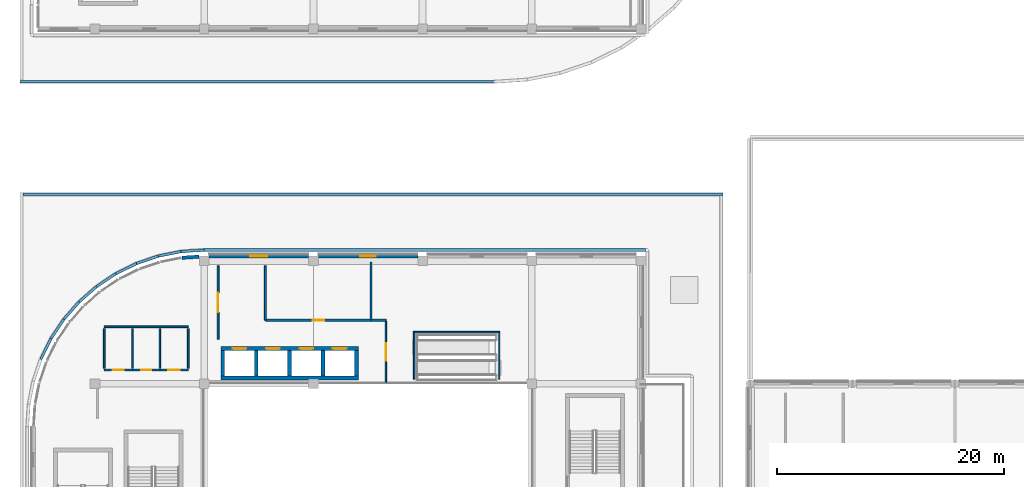
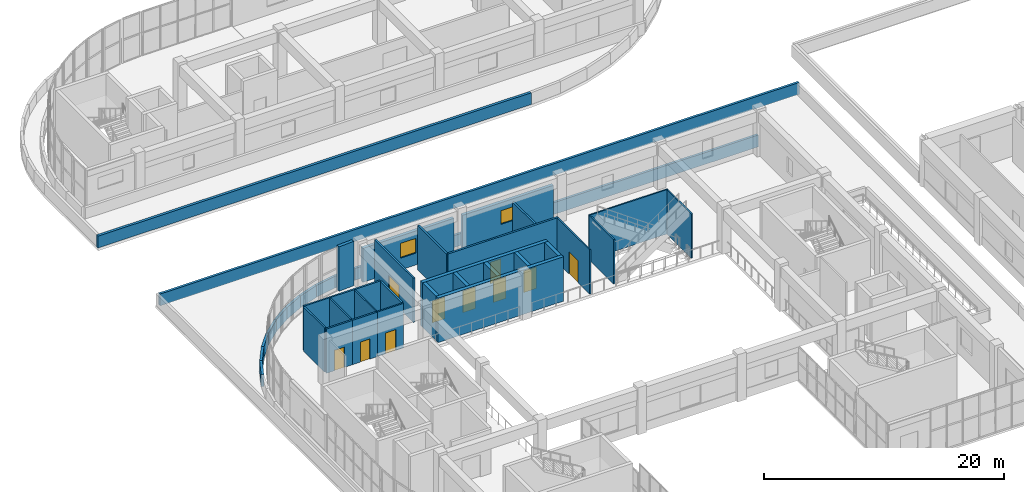
# One storey, part 43 of 67: 38 walls, 10 doors, 2 windows, 12 openings.
"""IFC4 building model written with IfcOpenShell, lengths in metres."""

from ifc_helpers import new_model, si_unit, direction, frame, frame_2d, origin, place, context, subcontext, project, spatial, rectangle, extrude, material, layer, layer_set, type_object, element, fill, save


model = new_model("IFC4")

# Units and contexts
model_context = context("Model", 3, precision=1e-05, world=origin(), true_north=direction((0.0, 1.0)))
body_context = subcontext(model_context, "Body", "Model", "MODEL_VIEW")
ifc_project = project(units=[si_unit("LENGTHUNIT", "METRE"), si_unit("AREAUNIT", "SQUARE_METRE"), si_unit("VOLUMEUNIT", "CUBIC_METRE"), si_unit("PLANEANGLEUNIT", "RADIAN"), si_unit("MASSUNIT", "GRAM", prefix="KILO")], contexts=[model_context])

# Site, building, storey
site_placement = place(None, origin())
site = spatial("IfcSite", under=ifc_project, at=site_placement, CompositionType="ELEMENT")
building_placement = place(site_placement, origin())
building = spatial("IfcBuilding", under=site, at=building_placement, Name="Cendralis Terraced Arcade", CompositionType="ELEMENT")
storey_placement = place(building_placement, frame((0.0, 0.0, 15.0)))
storey = spatial("IfcBuildingStorey", under=building, at=storey_placement, Name="L03", CompositionType="ELEMENT", Elevation=15.0)

# Walls
ifc_material_1 = material(Name="Concrete f'c 42 MPa", Category="concrete")
ifc_layer_1 = layer(ifc_material_1, 0.340087890625, Name="WL-CORE-340")
ifc_layer_set_1 = layer_set([ifc_layer_1], Name="Concrete f'c 42 MPa")
wall_type_1 = type_object("IfcWallType", Name="WL-CORE-340", PredefinedType="SHEAR", material=ifc_layer_set_1)
for number, where, z_axis, x_axis, name in (
    (1, (23.77001953125, 39.074951171875, 0.0), (0.0, 0.0, 1.0), (0.0, 1.0, 0.0), "Lift PL-01 Reinforced Concrete Shaft Wall (L03)"),
    (2, (20.830078125, 39.074951171875, 0.0), (0.0, 0.0, 1.0), (0.0, 1.0, 0.0), "Lift PL-01 Reinforced Concrete Shaft Wall (L03)"),
):
    element("IfcWall", number, at=place(storey_placement, frame(where, z_axis=z_axis, x_axis=x_axis)), inside=storey, type_object=wall_type_1, Name=name, PredefinedType="SHEAR", context=body_context, shape_type="SweptSolid", body=[
        extrude(rectangle(XDim=2.25, YDim=0.340087890625, at=frame_2d((1.125, 0.0))), origin(), (0.0, 0.0, 1.0), 4.52001953125),
    ])
wall_1_placement = place(storey_placement, frame((20.659912109375, 38.905029296875, 0.0), z_axis=(0.0, 0.0, 1.0), x_axis=(1.0, 0.0, 0.0)))
element("IfcWall", 3, at=wall_1_placement, inside=storey, type_object=wall_type_1, Name="Lift PL-01 Reinforced Concrete Shaft Wall (L03)", PredefinedType="SHEAR", context=body_context, shape_type="SweptSolid", body=[
    extrude(rectangle(XDim=12.10009765625, YDim=0.340087890625, at=frame_2d((6.050048828125, 0.0))), origin(), (0.0, 0.0, 1.0), 4.52001953125),
])

# Wall, openings, doors
wall_2_placement = place(storey_placement, frame((20.659912109375, 41.4951171875, 0.0), z_axis=(0.0, 0.0, 1.0), x_axis=(1.0, 0.0, 0.0)))
wall_2 = element("IfcWall", 4, at=wall_2_placement, inside=storey, type_object=wall_type_1, Name="Lift PL-01 Reinforced Concrete Shaft Wall (L03)", PredefinedType="SHEAR", context=body_context, shape_type="SweptSolid", body=[
    extrude(rectangle(XDim=12.10009765625, YDim=0.340087890625, at=frame_2d((6.050048828125, 0.0))), origin(), (0.0, 0.0, 1.0), 4.52001953125),
])
opening_1_placement = place(wall_2_placement, frame((1.0400390625, 0.0, 0.0)))
opening_1 = element("IfcOpeningElement", 5, at=opening_1_placement, cuts=wall_2, Name="Opening LD-PL-01-L03", PredefinedType="OPENING", context=body_context, shape_type="SweptSolid", body=[
    extrude(rectangle(XDim=1.199951171875, YDim=2.199951171875, at=frame_2d((0.60009765625, 1.10009765625))), frame((0.0, 0.18212890625, 0.0), z_axis=(0.0, -1.0, 0.0), x_axis=(1.0, 0.0, 0.0)), (0.0, 0.0, 1.0), 0.364013671875),
])
opening_2_placement = place(wall_2_placement, frame((3.97998046875, 0.0, 0.0)))
opening_2 = element("IfcOpeningElement", 6, at=opening_2_placement, cuts=wall_2, Name="Opening LD-PL-02-L03", PredefinedType="OPENING", context=body_context, shape_type="SweptSolid", body=[
    extrude(rectangle(XDim=1.199951171875, YDim=2.199951171875, at=frame_2d((0.60009765625, 1.10009765625))), frame((0.0, 0.18212890625, 0.0), z_axis=(0.0, -1.0, 0.0), x_axis=(1.0, 0.0, 0.0)), (0.0, 0.0, 1.0), 0.364013671875),
])
opening_3_placement = place(wall_2_placement, frame((6.919921875, 0.0, 0.0)))
opening_3 = element("IfcOpeningElement", 7, at=opening_3_placement, cuts=wall_2, Name="Opening LD-PL-03-L03", PredefinedType="OPENING", context=body_context, shape_type="SweptSolid", body=[
    extrude(rectangle(XDim=1.199951171875, YDim=2.199951171875, at=frame_2d((0.60009765625, 1.10009765625))), frame((0.0, 0.18212890625, 0.0), z_axis=(0.0, -1.0, 0.0), x_axis=(1.0, 0.0, 0.0)), (0.0, 0.0, 1.0), 0.364013671875),
])
opening_4_placement = place(wall_2_placement, frame((9.860107421875, 0.0, 0.0)))
opening_4 = element("IfcOpeningElement", 8, at=opening_4_placement, cuts=wall_2, Name="Opening LD-PL-04-L03", PredefinedType="OPENING", context=body_context, shape_type="SweptSolid", body=[
    extrude(rectangle(XDim=1.199951171875, YDim=2.199951171875, at=frame_2d((0.60009765625, 1.10009765625))), frame((0.0, 0.18212890625, 0.0), z_axis=(0.0, -1.0, 0.0), x_axis=(1.0, 0.0, 0.0)), (0.0, 0.0, 1.0), 0.364013671875),
])
ifc_material_2 = material(Name="Anodised aluminium sliding door assembly", Category="aluminium")
door_type_1 = type_object("IfcDoorType", Name="ID-LD-PX-1200x2200", OperationType="DOUBLE_DOOR_SLIDING", PredefinedType="DOOR", material=ifc_material_2)
door_1_placement = place(opening_1_placement, origin())
door_1 = element("IfcDoor", 9, at=door_1_placement, inside=storey, type_object=door_type_1, Name="Lift PL-01 Sliding Landing Door (L03)", OperationType="DOUBLE_DOOR_SLIDING", OverallHeight=2.199951171875, OverallWidth=1.199951171875, PredefinedType="DOOR", context=body_context, shape_type="SweptSolid", body=[
    extrude(rectangle(XDim=1.199951171875, YDim=2.199951171875, at=frame_2d((0.60009765625, 1.10009765625))), frame((0.0, 0.02490234375, 0.0), z_axis=(0.0, -1.0, 0.0), x_axis=(1.0, 0.0, 0.0)), (0.0, 0.0, 1.0), 0.050048828125),
])
fill(opening_1, door_1)
door_2_placement = place(opening_2_placement, origin())
door_2 = element("IfcDoor", 10, at=door_2_placement, inside=storey, type_object=door_type_1, Name="Lift PL-02 Sliding Landing Door (L03)", OperationType="DOUBLE_DOOR_SLIDING", OverallHeight=2.199951171875, OverallWidth=1.199951171875, PredefinedType="DOOR", context=body_context, shape_type="SweptSolid", body=[
    extrude(rectangle(XDim=1.199951171875, YDim=2.199951171875, at=frame_2d((0.60009765625, 1.10009765625))), frame((0.0, 0.02490234375, 0.0), z_axis=(0.0, -1.0, 0.0), x_axis=(1.0, 0.0, 0.0)), (0.0, 0.0, 1.0), 0.050048828125),
])
fill(opening_2, door_2)
door_3_placement = place(opening_3_placement, origin())
door_3 = element("IfcDoor", 11, at=door_3_placement, inside=storey, type_object=door_type_1, Name="Lift PL-03 Sliding Landing Door (L03)", OperationType="DOUBLE_DOOR_SLIDING", OverallHeight=2.199951171875, OverallWidth=1.199951171875, PredefinedType="DOOR", context=body_context, shape_type="SweptSolid", body=[
    extrude(rectangle(XDim=1.199951171875, YDim=2.199951171875, at=frame_2d((0.60009765625, 1.10009765625))), frame((0.0, 0.02490234375, 0.0), z_axis=(0.0, -1.0, 0.0), x_axis=(1.0, 0.0, 0.0)), (0.0, 0.0, 1.0), 0.050048828125),
])
fill(opening_3, door_3)
door_4_placement = place(opening_4_placement, origin())
door_4 = element("IfcDoor", 12, at=door_4_placement, inside=storey, type_object=door_type_1, Name="Lift PL-04 Sliding Landing Door (L03)", OperationType="DOUBLE_DOOR_SLIDING", OverallHeight=2.199951171875, OverallWidth=1.199951171875, PredefinedType="DOOR", context=body_context, shape_type="SweptSolid", body=[
    extrude(rectangle(XDim=1.199951171875, YDim=2.199951171875, at=frame_2d((0.60009765625, 1.10009765625))), frame((0.0, 0.02490234375, 0.0), z_axis=(0.0, -1.0, 0.0), x_axis=(1.0, 0.0, 0.0)), (0.0, 0.0, 1.0), 0.050048828125),
])
fill(opening_4, door_4)

# Walls
for number, where, z_axis, x_axis, name in (
    (13, (26.7099609375, 39.074951171875, 0.0), (0.0, 0.0, 1.0), (0.0, 1.0, 0.0), "Lift PL-02 Reinforced Concrete Shaft Wall (L03)"),
    (14, (29.64990234375, 39.074951171875, 0.0), (0.0, 0.0, 1.0), (0.0, 1.0, 0.0), "Lift PL-03 Reinforced Concrete Shaft Wall (L03)"),
    (15, (32.590087890625, 39.074951171875, 0.0), (0.0, 0.0, 1.0), (0.0, 1.0, 0.0), "Lift PL-04 Reinforced Concrete Shaft Wall (L03)"),
):
    element("IfcWall", number, at=place(storey_placement, frame(where, z_axis=z_axis, x_axis=x_axis)), inside=storey, type_object=wall_type_1, Name=name, PredefinedType="SHEAR", context=body_context, shape_type="SweptSolid", body=[
        extrude(rectangle(XDim=2.25, YDim=0.340087890625, at=frame_2d((1.125, 0.0))), origin(), (0.0, 0.0, 1.0), 4.52001953125),
    ])
ifc_material_3 = material(Name="Precast concrete f'c 40 MPa", Category="concrete")
ifc_layer_2 = layer(ifc_material_3, 0.300048828125, Name="WL-EXT-GRC-300")
ifc_layer_set_2 = layer_set([ifc_layer_2], Name="Precast concrete f'c 40 MPa")
wall_type_2 = type_object("IfcWallType", Name="WL-EXT-GRC-300", PredefinedType="SOLIDWALL", material=ifc_layer_set_2)
wall_3_placement = place(storey_placement, frame((17.2421875, 49.4716796875, 0.0), z_axis=(0.0, 0.0, 1.0), x_axis=(0.997860113106, 0.065384972838, 0.0)))
element("IfcWall", 16, at=wall_3_placement, inside=storey, type_object=wall_type_2, Name="Exterior Architectural Wall EW-L03-0258", PredefinedType="SOLIDWALL", context=body_context, shape_type="SweptSolid", body=[
    extrude(rectangle(XDim=1.486083984375, YDim=0.300048828125, at=frame_2d((0.7431640625, 0.0))), origin(), (0.0, 0.0, 1.0), 4.52001953125),
])

# Wall, opening, window
wall_4_placement = place(storey_placement, frame((19.623046875, 49.60009765625, 0.0), z_axis=(0.0, 0.0, 1.0), x_axis=(1.0, 0.0, 0.0)))
wall_4 = element("IfcWall", 17, at=wall_4_placement, inside=storey, type_object=wall_type_2, Name="Exterior Architectural Wall EW-L03-0259", PredefinedType="SOLIDWALL", context=body_context, shape_type="SweptSolid", body=[
    extrude(rectangle(XDim=8.75390625, YDim=0.300048828125, at=frame_2d((4.376953125, 0.0))), origin(), (0.0, 0.0, 1.0), 3.4599609375),
])
opening_5_placement = place(wall_4_placement, frame((3.626953125, 0.0, 1.199951171875)))
opening_5 = element("IfcOpeningElement", 18, at=opening_5_placement, cuts=wall_4, Name="Opening W-20", PredefinedType="OPENING", context=body_context, shape_type="SweptSolid", body=[
    extrude(rectangle(XDim=1.5, YDim=1.5, at=frame_2d((0.75, 0.75))), frame((0.0, 0.162109375, 0.0), z_axis=(0.0, -1.0, 0.0), x_axis=(1.0, 0.0, 0.0)), (0.0, 0.0, 1.0), 0.323974609375),
])
ifc_material_4 = material(Name="Tempered solar control laminated glass", Category="glass")
window_type_1 = type_object("IfcWindowType", Name="WN-BOH-1500x1500", PartitioningType="SINGLE_PANEL", PredefinedType="WINDOW", material=ifc_material_4)
window_1_placement = place(opening_5_placement, origin())
window_1 = element("IfcWindow", 19, at=window_1_placement, inside=storey, type_object=window_type_1, Name="Exterior Solar-Control Window WN-L03-0167", OverallHeight=1.5, OverallWidth=1.5, PartitioningType="SINGLE_PANEL", PredefinedType="WINDOW", context=body_context, shape_type="SweptSolid", body=[
    extrude(rectangle(XDim=1.5, YDim=1.5, at=frame_2d((0.75, 0.75))), frame((0.0, 0.030029296875, 0.0), z_axis=(0.0, -1.0, 0.0), x_axis=(1.0, 0.0, 0.0)), (0.0, 0.0, 1.0), 0.06005859375),
])
fill(opening_5, window_1)

wall_5_placement = place(storey_placement, frame((29.222900390625, 49.60009765625, 0.0), z_axis=(0.0, 0.0, 1.0), x_axis=(1.0, 0.0, 0.0)))
wall_5 = element("IfcWall", 20, at=wall_5_placement, inside=storey, type_object=wall_type_2, Name="Exterior Architectural Wall EW-L03-0260", PredefinedType="SOLIDWALL", context=body_context, shape_type="SweptSolid", body=[
    extrude(rectangle(XDim=8.754150390625, YDim=0.300048828125, at=frame_2d((4.376953125, 0.0))), origin(), (0.0, 0.0, 1.0), 3.4599609375),
])
opening_6_placement = place(wall_5_placement, frame((3.701904296875, 0.0, 1.25)))
opening_6 = element("IfcOpeningElement", 21, at=opening_6_placement, cuts=wall_5, Name="Opening W-21", PredefinedType="OPENING", context=body_context, shape_type="SweptSolid", body=[
    extrude(rectangle(XDim=1.35009765625, YDim=1.39990234375, at=frame_2d((0.675048828125, 0.699951171875))), frame((0.0, 0.162109375, 0.0), z_axis=(0.0, -1.0, 0.0), x_axis=(1.0, 0.0, 0.0)), (0.0, 0.0, 1.0), 0.323974609375),
])
window_type_2 = type_object("IfcWindowType", Name="WN-BOH-1350x1400", PartitioningType="SINGLE_PANEL", PredefinedType="WINDOW", material=ifc_material_4)
window_2_placement = place(opening_6_placement, origin())
window_2 = element("IfcWindow", 22, at=window_2_placement, inside=storey, type_object=window_type_2, Name="Exterior Solar-Control Window WN-L03-0168", OverallHeight=1.39990234375, OverallWidth=1.35009765625, PartitioningType="SINGLE_PANEL", PredefinedType="WINDOW", context=body_context, shape_type="SweptSolid", body=[
    extrude(rectangle(XDim=1.35009765625, YDim=1.39990234375, at=frame_2d((0.675048828125, 0.699951171875))), frame((0.0, 0.030029296875, 0.0), z_axis=(0.0, -1.0, 0.0), x_axis=(1.0, 0.0, 0.0)), (0.0, 0.0, 1.0), 0.06005859375),
])
fill(opening_6, window_2)

# Walls
ifc_layer_3 = layer(ifc_material_3, 0.22998046875, Name="WL-PAR-230")
ifc_layer_set_3 = layer_set([ifc_layer_3], Name="Precast concrete f'c 40 MPa")
wall_type_3 = type_object("IfcWallType", Name="WL-PAR-230", PredefinedType="PARAPET", material=ifc_layer_set_3)
wall_6_placement = place(storey_placement, frame((58.02001953125, 50.155029296875, 0.0), z_axis=(0.0, 0.0, 1.0), x_axis=(-1.0, 0.0, 0.0)))
element("IfcWall", 23, at=wall_6_placement, inside=storey, type_object=wall_type_3, Name="Precast Concrete Roof Parapet Wall PAR-L03-335", PredefinedType="PARAPET", context=body_context, shape_type="SweptSolid", body=[
    extrude(rectangle(XDim=38.833740234375, YDim=0.22998046875, at=frame_2d((19.4169921875, 0.0))), origin(), (0.0, 0.0, 1.0), 1.199951171875),
])
wall_7_placement = place(storey_placement, frame((19.177490234375, 50.15478515625, 0.0), z_axis=(0.0, 0.0, 1.0), x_axis=(-0.997856296776, -0.06544318898, 0.0)))
element("IfcWall", 24, at=wall_7_placement, inside=storey, type_object=wall_type_3, Name="Precast Concrete Roof Parapet Wall PAR-L03-336", PredefinedType="PARAPET", context=body_context, shape_type="SweptSolid", body=[
    extrude(rectangle(XDim=2.00341796875, YDim=0.22998046875, at=frame_2d((1.001708984375, 0.0))), origin(), (0.0, 0.0, 1.0), 1.199951171875),
])
wall_8_placement = place(storey_placement, frame((17.160888671875, 50.021484375, 0.0), z_axis=(0.0, 0.0, 1.0), x_axis=(-0.980780345025, -0.195115132196, 0.0)))
element("IfcWall", 25, at=wall_8_placement, inside=storey, type_object=wall_type_3, Name="Precast Concrete Roof Parapet Wall PAR-L03-337", PredefinedType="PARAPET", context=body_context, shape_type="SweptSolid", body=[
    extrude(rectangle(XDim=2.01708984375, YDim=0.22998046875, at=frame_2d((1.008544921875, 0.0))), origin(), (0.0, 0.0, 1.0), 1.199951171875),
])
for number, where, z_axis, x_axis, name in (
    (26, (15.165283203125, 49.623291015625, 0.0), (0.0, 0.0, 1.0), (-0.946926081633, -0.321451389675, 0.0), "Precast Concrete Roof Parapet Wall PAR-L03-338"),
    (27, (13.239013671875, 48.96826171875, 0.0), (0.0, 0.0, 1.0), (-0.896858375766, -0.44231781992, 0.0), "Precast Concrete Roof Parapet Wall PAR-L03-339"),
    (28, (11.41455078125, 48.067138671875, 0.0), (0.0, 0.0, 1.0), (-0.831435354006, -0.555621500763, 0.0), "Precast Concrete Roof Parapet Wall PAR-L03-340"),
    (29, (9.723388671875, 46.935791015625, 0.0), (0.0, 0.0, 1.0), (-0.751826475426, -0.659361017083, 0.0), "Precast Concrete Roof Parapet Wall PAR-L03-341"),
    (30, (8.1943359375, 45.59326171875, 0.0), (0.0, 0.0, 1.0), (-0.659361017083, -0.751826475426, 0.0), "Precast Concrete Roof Parapet Wall PAR-L03-342"),
):
    element("IfcWall", number, at=place(storey_placement, frame(where, z_axis=z_axis, x_axis=x_axis)), inside=storey, type_object=wall_type_3, Name=name, PredefinedType="PARAPET", context=body_context, shape_type="SweptSolid", body=[
        extrude(rectangle(XDim=2.017333984375, YDim=0.22998046875, at=frame_2d((1.0087890625, 0.0))), origin(), (0.0, 0.0, 1.0), 1.199951171875),
    ])
wall_9_placement = place(storey_placement, frame((6.853515625, 44.0625, 0.0), z_axis=(0.0, 0.0, 1.0), x_axis=(-0.555593742386, -0.831453903366, 0.0)))
element("IfcWall", 31, at=wall_9_placement, inside=storey, type_object=wall_type_3, Name="Precast Concrete Roof Parapet Wall PAR-L03-343", PredefinedType="PARAPET", context=body_context, shape_type="SweptSolid", body=[
    extrude(rectangle(XDim=2.016845703125, YDim=0.22998046875, at=frame_2d((1.00830078125, 0.0))), origin(), (0.0, 0.0, 1.0), 1.199951171875),
])
wall_10_placement = place(storey_placement, frame((5.72412109375, 42.3701171875, 0.0), z_axis=(0.0, 0.0, 1.0), x_axis=(-0.442365831584, -0.896834695497, 0.0)))
element("IfcWall", 32, at=wall_10_placement, inside=storey, type_object=wall_type_3, Name="Precast Concrete Roof Parapet Wall PAR-L03-344", PredefinedType="PARAPET", context=body_context, shape_type="SweptSolid", body=[
    extrude(rectangle(XDim=2.01708984375, YDim=0.22998046875, at=frame_2d((1.008544921875, 0.0))), origin(), (0.0, 0.0, 1.0), 1.199951171875),
])
wall_11_placement = place(storey_placement, frame((3.27001953125, 55.06494140625, 0.0), z_axis=(0.0, 0.0, 1.0), x_axis=(1.0, 0.0, 0.0)))
element("IfcWall", 33, at=wall_11_placement, inside=storey, type_object=wall_type_3, Name="Precast Concrete Roof Parapet Wall PAR-L03-376", PredefinedType="PARAPET", context=body_context, shape_type="SweptSolid", body=[
    extrude(rectangle(XDim=61.530029296875, YDim=0.22998046875, at=frame_2d((30.76513671875, 0.0))), origin(), (0.0, 0.0, 1.0), 1.199951171875),
])
ifc_layer_4 = layer(ifc_material_3, 0.25, Name="WL-PAR-250")
ifc_layer_set_4 = layer_set([ifc_layer_4], Name="Precast concrete f'c 40 MPa")
wall_type_4 = type_object("IfcWallType", Name="WL-PAR-250", PredefinedType="PARAPET", material=ifc_layer_set_4)
wall_12_placement = place(storey_placement, frame((44.699951171875, 64.945068359375, 0.0), z_axis=(0.0, 0.0, 1.0), x_axis=(-1.0, 0.0, 0.0)))
element("IfcWall", 34, at=wall_12_placement, inside=storey, type_object=wall_type_4, Name="Precast Concrete Roof Parapet Wall PAR-L03-230", PredefinedType="PARAPET", context=body_context, shape_type="SweptSolid", body=[
    extrude(rectangle(XDim=41.699951171875, YDim=0.25, at=frame_2d((20.85009765625, 0.0))), origin(), (0.0, 0.0, 1.0), 1.199951171875),
])
ifc_material_5 = material(Name="Gypsum plasterboard acoustic partition", Category="concrete")
ifc_layer_5 = layer(ifc_material_5, 0.1220703125, Name="WL-PART-122")
ifc_layer_set_5 = layer_set([ifc_layer_5], Name="Gypsum plasterboard acoustic partition")
wall_type_5 = type_object("IfcWallType", Name="WL-PART-122", PredefinedType="PARTITIONING", material=ifc_layer_set_5)
wall_13_placement = place(storey_placement, frame((45.139892578125, 38.800048828125, 0.0), z_axis=(0.0, 0.0, 1.0), x_axis=(0.0, 1.0, 0.0)))
element("IfcWall", 35, at=wall_13_placement, inside=storey, type_object=wall_type_5, Name="Interior Partition Wall IW-L03-0539", PredefinedType="PARTITIONING", context=body_context, shape_type="SweptSolid", body=[
    extrude(rectangle(XDim=4.074951171875, YDim=0.1220703125, at=frame_2d((2.03759765625, 0.0))), origin(), (0.0, 0.0, 1.0), 4.52001953125),
])
ifc_layer_6 = layer(ifc_material_5, 0.1259765625, Name="WL-PART-126")
ifc_layer_set_6 = layer_set([ifc_layer_6], Name="Gypsum plasterboard acoustic partition")
wall_type_6 = type_object("IfcWallType", Name="WL-PART-126", PredefinedType="PARTITIONING", material=ifc_layer_set_6)
wall_14_placement = place(storey_placement, frame((37.659912109375, 42.875, 0.0), z_axis=(0.0, 0.0, 1.0), x_axis=(0.0, -1.0, 0.0)))
element("IfcWall", 36, at=wall_14_placement, inside=storey, type_object=wall_type_6, Name="Interior Partition Wall IW-L03-0538", PredefinedType="PARTITIONING", context=body_context, shape_type="SweptSolid", body=[
    extrude(rectangle(XDim=4.074951171875, YDim=0.1259765625, at=frame_2d((2.03759765625, 0.0))), origin(), (0.0, 0.0, 1.0), 4.52001953125),
])
ifc_layer_7 = layer(ifc_material_5, 0.1298828125, Name="WL-PART-130")
ifc_layer_set_7 = layer_set([ifc_layer_7], Name="Gypsum plasterboard acoustic partition")
wall_type_7 = type_object("IfcWallType", Name="WL-PART-130", PredefinedType="PARTITIONING", material=ifc_layer_set_7)
for number, where, z_axis, x_axis, name in (
    (37, (12.89990234375, 39.75, 0.0), (0.0, 0.0, 1.0), (0.0, 1.0, 0.0), "Restroom Enclosure Partition IW-WC-L03-0053"),
    (38, (15.300048828125, 39.75, 0.0), (0.0, 0.0, 1.0), (0.0, 1.0, 0.0), "Restroom Enclosure Partition IW-WC-L03-0054"),
):
    element("IfcWall", number, at=place(storey_placement, frame(where, z_axis=z_axis, x_axis=x_axis)), inside=storey, type_object=wall_type_7, Name=name, PredefinedType="PARTITIONING", context=body_context, shape_type="SweptSolid", body=[
        extrude(rectangle(XDim=3.5, YDim=0.1298828125, at=frame_2d((1.75, 0.0))), origin(), (0.0, 0.0, 1.0), 4.52001953125),
    ])
wall_15_placement = place(storey_placement, frame((45.200927734375, 42.93994140625, 0.0), z_axis=(0.0, 0.0, 1.0), x_axis=(-1.0, 0.0, 0.0)))
element("IfcWall", 39, at=wall_15_placement, inside=storey, type_object=wall_type_7, Name="Interior Partition Wall IW-L03-0537", PredefinedType="PARTITIONING", context=body_context, shape_type="SweptSolid", body=[
    extrude(rectangle(XDim=7.60400390625, YDim=0.1298828125, at=frame_2d((3.802001953125, 0.0))), origin(), (0.0, 0.0, 1.0), 4.52001953125),
])

# Wall, opening, door
ifc_layer_8 = layer(ifc_material_5, 0.134033203125, Name="WL-PART-134")
ifc_layer_set_8 = layer_set([ifc_layer_8], Name="Gypsum plasterboard acoustic partition")
wall_type_8 = type_object("IfcWallType", Name="WL-PART-134", PredefinedType="PARTITIONING", material=ifc_layer_set_8)
wall_16_placement = place(storey_placement, frame((35.179931640625, 38.530029296875, 0.0), z_axis=(0.0, 0.0, 1.0), x_axis=(0.0, 1.0, 0.0)))
wall_16 = element("IfcWall", 40, at=wall_16_placement, inside=storey, type_object=wall_type_8, Name="Interior Partition Wall IW-L03-0536", PredefinedType="PARTITIONING", context=body_context, shape_type="SweptSolid", body=[
    extrude(rectangle(XDim=5.357421875, YDim=0.134033203125, at=frame_2d((2.6787109375, 0.0))), origin(), (0.0, 0.0, 1.0), 4.52001953125),
])
opening_7_placement = place(wall_16_placement, frame((1.875, 0.0, 0.0)))
opening_7 = element("IfcOpeningElement", 41, at=opening_7_placement, cuts=wall_16, Name="Opening D-L03-143", PredefinedType="OPENING", context=body_context, shape_type="SweptSolid", body=[
    extrude(rectangle(XDim=1.550048828125, YDim=2.25, at=frame_2d((0.77490234375, 1.125))), frame((0.0, 0.0791015625, 0.0), z_axis=(0.0, -1.0, 0.0), x_axis=(1.0, 0.0, 0.0)), (0.0, 0.0, 1.0), 0.157958984375),
])
ifc_material_6 = material(Name="Solid core Andean oak veneer door leaf", Category="aluminium")
door_type_2 = type_object("IfcDoorType", Name="ID-DEP-1550x2250", OperationType="DOUBLE_DOOR_SINGLE_SWING", PredefinedType="DOOR", material=ifc_material_6)
door_5_placement = place(opening_7_placement, origin())
door_5 = element("IfcDoor", 42, at=door_5_placement, inside=storey, type_object=door_type_2, Name="Travel Goods and Watchmaker Salon Door D-L03-143", OperationType="DOUBLE_DOOR_SINGLE_SWING", OverallHeight=2.25, OverallWidth=1.550048828125, PredefinedType="DOOR", context=body_context, shape_type="SweptSolid", body=[
    extrude(rectangle(XDim=1.550048828125, YDim=2.25, at=frame_2d((0.77490234375, 1.125))), frame((0.0, 0.02490234375, 0.0), z_axis=(0.0, -1.0, 0.0), x_axis=(1.0, 0.0, 0.0)), (0.0, 0.0, 1.0), 0.050048828125),
])
fill(opening_7, door_5)

# Walls
ifc_layer_9 = layer(ifc_material_5, 0.159912109375, Name="WL-PART-160")
ifc_layer_set_9 = layer_set([ifc_layer_9], Name="Gypsum plasterboard acoustic partition")
wall_type_9 = type_object("IfcWallType", Name="WL-PART-160", PredefinedType="PARTITIONING", material=ifc_layer_set_9)
wall_17_placement = place(storey_placement, frame((10.39990234375, 43.39990234375, 0.0), z_axis=(0.0, 0.0, 1.0), x_axis=(1.0, 0.0, 0.0)))
element("IfcWall", 43, at=wall_17_placement, inside=storey, type_object=wall_type_9, Name="Restroom Enclosure Partition IW-WC-L03-0051", PredefinedType="PARTITIONING", context=body_context, shape_type="SweptSolid", body=[
    extrude(rectangle(XDim=7.400146484375, YDim=0.159912109375, at=frame_2d((3.7001953125, 0.0))), origin(), (0.0, 0.0, 1.0), 4.52001953125),
])
for number, where, z_axis, x_axis, name in (
    (44, (10.39990234375, 39.75, 0.0), (0.0, 0.0, 1.0), (0.0, 1.0, 0.0), "Restroom Enclosure Partition IW-WC-L03-0052"),
    (45, (17.800048828125, 39.75, 0.0), (0.0, 0.0, 1.0), (0.0, 1.0, 0.0), "Restroom Enclosure Partition IW-WC-L03-0055"),
):
    element("IfcWall", number, at=place(storey_placement, frame(where, z_axis=z_axis, x_axis=x_axis)), inside=storey, type_object=wall_type_9, Name=name, PredefinedType="PARTITIONING", context=body_context, shape_type="SweptSolid", body=[
        extrude(rectangle(XDim=3.5, YDim=0.159912109375, at=frame_2d((1.75, 0.0))), origin(), (0.0, 0.0, 1.0), 4.52001953125),
    ])

# Wall, opening, door
wall_18_placement = place(storey_placement, frame((10.39990234375, 39.60009765625, 0.0), z_axis=(0.0, 0.0, 1.0), x_axis=(1.0, 0.0, 0.0)))
wall_18 = element("IfcWall", 46, at=wall_18_placement, inside=storey, type_object=wall_type_9, Name="Restroom Enclosure Partition IW-WC-L03-0056", PredefinedType="PARTITIONING", context=body_context, shape_type="SweptSolid", body=[
    extrude(rectangle(XDim=2.5, YDim=0.159912109375, at=frame_2d((1.25, 0.0))), origin(), (0.0, 0.0, 1.0), 4.52001953125),
])
opening_8_placement = place(wall_18_placement, frame((0.77490234375, 0.0, 0.0)))
opening_8 = element("IfcOpeningElement", 47, at=opening_8_placement, cuts=wall_18, Name="Opening D-WC-L03-019", PredefinedType="OPENING", context=body_context, shape_type="SweptSolid", body=[
    extrude(rectangle(XDim=0.949951171875, YDim=2.080078125, at=frame_2d((0.47509765625, 1.0400390625))), frame((0.0, 0.091796875, 0.0), z_axis=(0.0, -1.0, 0.0), x_axis=(1.0, 0.0, 0.0)), (0.0, 0.0, 1.0), 0.183837890625),
])
door_type_3 = type_object("IfcDoorType", Name="ID-WC-0950x2080", OperationType="NOTDEFINED", PredefinedType="DOOR", material=ifc_material_6)
door_6_placement = place(opening_8_placement, origin())
door_6 = element("IfcDoor", 48, at=door_6_placement, inside=storey, type_object=door_type_3, Name="Women's Restroom Door (L03)", OperationType="SINGLE_SWING_RIGHT", OverallHeight=2.080078125, OverallWidth=0.949951171875, PredefinedType="DOOR", context=body_context, shape_type="SweptSolid", body=[
    extrude(rectangle(XDim=0.949951171875, YDim=2.080078125, at=frame_2d((0.47509765625, 1.0400390625))), frame((0.0, 0.02490234375, 0.0), z_axis=(0.0, -1.0, 0.0), x_axis=(1.0, 0.0, 0.0)), (0.0, 0.0, 1.0), 0.050048828125),
])
fill(opening_8, door_6)

wall_19_placement = place(storey_placement, frame((12.89990234375, 39.60009765625, 0.0), z_axis=(0.0, 0.0, 1.0), x_axis=(1.0, 0.0, 0.0)))
wall_19 = element("IfcWall", 49, at=wall_19_placement, inside=storey, type_object=wall_type_9, Name="Restroom Enclosure Partition IW-WC-L03-0057", PredefinedType="PARTITIONING", context=body_context, shape_type="SweptSolid", body=[
    extrude(rectangle(XDim=2.400146484375, YDim=0.159912109375, at=frame_2d((1.2001953125, 0.0))), origin(), (0.0, 0.0, 1.0), 4.52001953125),
])
opening_9_placement = place(wall_19_placement, frame((0.739990234375, 0.0, 0.0)))
opening_9 = element("IfcOpeningElement", 50, at=opening_9_placement, cuts=wall_19, Name="Opening D-WC-L03-020", PredefinedType="OPENING", context=body_context, shape_type="SweptSolid", body=[
    extrude(rectangle(XDim=0.919921875, YDim=2.050048828125, at=frame_2d((0.4599609375, 1.02490234375))), frame((0.0, 0.091796875, 0.0), z_axis=(0.0, -1.0, 0.0), x_axis=(1.0, 0.0, 0.0)), (0.0, 0.0, 1.0), 0.183837890625),
])
door_type_4 = type_object("IfcDoorType", Name="ID-WC-0920x2050", OperationType="NOTDEFINED", PredefinedType="DOOR", material=ifc_material_6)
door_7_placement = place(opening_9_placement, origin())
door_7 = element("IfcDoor", 51, at=door_7_placement, inside=storey, type_object=door_type_4, Name="Men's Restroom Door (L03)", OperationType="SINGLE_SWING_LEFT", OverallHeight=2.050048828125, OverallWidth=0.919921875, PredefinedType="DOOR", context=body_context, shape_type="SweptSolid", body=[
    extrude(rectangle(XDim=0.919921875, YDim=2.050048828125, at=frame_2d((0.4599609375, 1.02490234375))), frame((0.0, 0.02490234375, 0.0), z_axis=(0.0, -1.0, 0.0), x_axis=(1.0, 0.0, 0.0)), (0.0, 0.0, 1.0), 0.050048828125),
])
fill(opening_9, door_7)

wall_20_placement = place(storey_placement, frame((15.300048828125, 39.60009765625, 0.0), z_axis=(0.0, 0.0, 1.0), x_axis=(1.0, 0.0, 0.0)))
wall_20 = element("IfcWall", 52, at=wall_20_placement, inside=storey, type_object=wall_type_9, Name="Restroom Enclosure Partition IW-WC-L03-0058", PredefinedType="PARTITIONING", context=body_context, shape_type="SweptSolid", body=[
    extrude(rectangle(XDim=2.5, YDim=0.159912109375, at=frame_2d((1.25, 0.0))), origin(), (0.0, 0.0, 1.0), 4.52001953125),
])
opening_10_placement = place(wall_20_placement, frame((0.739990234375, 0.0, 0.0)))
opening_10 = element("IfcOpeningElement", 53, at=opening_10_placement, cuts=wall_20, Name="Opening D-WC-L03-021", PredefinedType="OPENING", context=body_context, shape_type="SweptSolid", body=[
    extrude(rectangle(XDim=1.02001953125, YDim=2.1201171875, at=frame_2d((0.510009765625, 1.06005859375))), frame((0.0, 0.091796875, 0.0), z_axis=(0.0, -1.0, 0.0), x_axis=(1.0, 0.0, 0.0)), (0.0, 0.0, 1.0), 0.183837890625),
])
door_type_5 = type_object("IfcDoorType", Name="ID-AWC-1020x2120", OperationType="NOTDEFINED", PredefinedType="DOOR", material=ifc_material_6)
door_8_placement = place(opening_10_placement, origin())
door_8 = element("IfcDoor", 54, at=door_8_placement, inside=storey, type_object=door_type_5, Name="Accessible WC Door (L03)", OperationType="SINGLE_SWING_RIGHT", OverallHeight=2.1201171875, OverallWidth=1.02001953125, PredefinedType="DOOR", context=body_context, shape_type="SweptSolid", body=[
    extrude(rectangle(XDim=1.02001953125, YDim=2.1201171875, at=frame_2d((0.510009765625, 1.06005859375))), frame((0.0, 0.02490234375, 0.0), z_axis=(0.0, -1.0, 0.0), x_axis=(1.0, 0.0, 0.0)), (0.0, 0.0, 1.0), 0.050048828125),
])
fill(opening_10, door_8)

ifc_layer_10 = layer(ifc_material_5, 0.1650390625, Name="WL-PART-165")
ifc_layer_set_10 = layer_set([ifc_layer_10], Name="Gypsum plasterboard acoustic partition")
wall_type_10 = type_object("IfcWallType", Name="WL-PART-165", PredefinedType="PARTITIONING", material=ifc_layer_set_10)
wall_21_placement = place(storey_placement, frame((20.419921875, 48.760009765625, 0.0), z_axis=(0.0, 0.0, 1.0), x_axis=(0.0, -1.0, 0.0)))
wall_21 = element("IfcWall", 55, at=wall_21_placement, inside=storey, type_object=wall_type_10, Name="Interior Partition Wall IW-L03-0531", PredefinedType="PARTITIONING", context=body_context, shape_type="SweptSolid", body=[
    extrude(rectangle(XDim=6.455078125, YDim=0.1650390625, at=frame_2d((3.2275390625, 0.0))), origin(), (0.0, 0.0, 1.0), 4.52001953125),
])
opening_11_placement = place(wall_21_placement, frame((2.37744140625, 0.0, 0.0)))
opening_11 = element("IfcOpeningElement", 56, at=opening_11_placement, cuts=wall_21, Name="Opening D-L03-141", PredefinedType="OPENING", context=body_context, shape_type="SweptSolid", body=[
    extrude(rectangle(XDim=1.699951171875, YDim=2.300048828125, at=frame_2d((0.85009765625, 1.14990234375))), frame((0.0, 0.094482421875, 0.0), z_axis=(0.0, -1.0, 0.0), x_axis=(1.0, 0.0, 0.0)), (0.0, 0.0, 1.0), 0.18896484375),
])
door_type_6 = type_object("IfcDoorType", Name="ID-DEP-1700x2300", OperationType="DOUBLE_DOOR_SINGLE_SWING", PredefinedType="DOOR", material=ifc_material_6)
door_9_placement = place(opening_11_placement, origin())
door_9 = element("IfcDoor", 57, at=door_9_placement, inside=storey, type_object=door_type_6, Name="Menswear Formal and Footwear Sales Floor Door D-L03-141", OperationType="DOUBLE_DOOR_SINGLE_SWING", OverallHeight=2.300048828125, OverallWidth=1.699951171875, PredefinedType="DOOR", context=body_context, shape_type="SweptSolid", body=[
    extrude(rectangle(XDim=1.699951171875, YDim=2.300048828125, at=frame_2d((0.85009765625, 1.14990234375))), frame((0.0, 0.02490234375, 0.0), z_axis=(0.0, -1.0, 0.0), x_axis=(1.0, 0.0, 0.0)), (0.0, 0.0, 1.0), 0.050048828125),
])
fill(opening_11, door_9)

# Walls
ifc_layer_11 = layer(ifc_material_5, 0.175048828125, Name="WL-PART-175")
ifc_layer_set_11 = layer_set([ifc_layer_11], Name="Gypsum plasterboard acoustic partition")
wall_type_11 = type_object("IfcWallType", Name="WL-PART-175", PredefinedType="PARTITIONING", material=ifc_layer_set_11)
wall_22_placement = place(storey_placement, frame((24.580078125, 43.97998046875, 0.0), z_axis=(0.0, 0.0, 1.0), x_axis=(0.0, 1.0, 0.0)))
element("IfcWall", 58, at=wall_22_placement, inside=storey, type_object=wall_type_11, Name="Interior Partition Wall IW-L03-0530", PredefinedType="PARTITIONING", context=body_context, shape_type="SweptSolid", body=[
    extrude(rectangle(XDim=4.780029296875, YDim=0.175048828125, at=frame_2d((2.39013671875, 0.0))), origin(), (0.0, 0.0, 1.0), 4.52001953125),
])
ifc_layer_12 = layer(ifc_material_5, 0.179931640625, Name="WL-PART-180")
ifc_layer_set_12 = layer_set([ifc_layer_12], Name="Gypsum plasterboard acoustic partition")
wall_type_12 = type_object("IfcWallType", Name="WL-PART-180", PredefinedType="PARTITIONING", material=ifc_layer_set_12)
wall_23_placement = place(storey_placement, frame((33.8798828125, 49.080078125, 0.0), z_axis=(0.0, 0.0, 1.0), x_axis=(0.0, -1.0, 0.0)))
element("IfcWall", 59, at=wall_23_placement, inside=storey, type_object=wall_type_12, Name="Interior Partition Wall IW-L03-0529", PredefinedType="PARTITIONING", context=body_context, shape_type="SweptSolid", body=[
    extrude(rectangle(XDim=5.10009765625, YDim=0.179931640625, at=frame_2d((2.550048828125, 0.0))), origin(), (0.0, 0.0, 1.0), 3.4599609375),
])

# Wall, opening, door
ifc_layer_13 = layer(ifc_material_5, 0.18505859375, Name="WL-PART-185")
ifc_layer_set_13 = layer_set([ifc_layer_13], Name="Gypsum plasterboard acoustic partition")
wall_type_13 = type_object("IfcWallType", Name="WL-PART-185", PredefinedType="PARTITIONING", material=ifc_layer_set_13)
wall_24_placement = place(storey_placement, frame((35.2470703125, 43.97998046875, 0.0), z_axis=(0.0, 0.0, 1.0), x_axis=(-1.0, 0.0, 0.0)))
wall_24 = element("IfcWall", 60, at=wall_24_placement, inside=storey, type_object=wall_type_13, Name="Interior Partition Wall IW-L03-0528", PredefinedType="PARTITIONING", context=body_context, shape_type="SweptSolid", body=[
    extrude(rectangle(XDim=10.6669921875, YDim=0.18505859375, at=frame_2d((5.33349609375, 0.0))), origin(), (0.0, 0.0, 1.0), 4.52001953125),
])
opening_12_placement = place(wall_24_placement, frame((5.51708984375, 0.0, 0.0)))
opening_12 = element("IfcOpeningElement", 61, at=opening_12_placement, cuts=wall_24, Name="Opening D-L03-140", PredefinedType="OPENING", context=body_context, shape_type="SweptSolid", body=[
    extrude(rectangle(XDim=1.0, YDim=2.199951171875, at=frame_2d((0.5, 1.10009765625))), frame((0.0, 0.1044921875, 0.0), z_axis=(0.0, -1.0, 0.0), x_axis=(1.0, 0.0, 0.0)), (0.0, 0.0, 1.0), 0.208984375),
])
door_type_7 = type_object("IfcDoorType", Name="ID-RM-1000x2200", OperationType="NOTDEFINED", PredefinedType="DOOR", material=ifc_material_6)
door_10_placement = place(opening_12_placement, origin())
door_10 = element("IfcDoor", 62, at=door_10_placement, inside=storey, type_object=door_type_7, Name="Menswear Formal and Footwear Sales Floor Door D-L03-140", OperationType="SINGLE_SWING_RIGHT", OverallHeight=2.199951171875, OverallWidth=1.0, PredefinedType="DOOR", context=body_context, shape_type="SweptSolid", body=[
    extrude(rectangle(XDim=1.0, YDim=2.199951171875, at=frame_2d((0.5, 1.10009765625))), frame((0.0, 0.02490234375, 0.0), z_axis=(0.0, -1.0, 0.0), x_axis=(1.0, 0.0, 0.0)), (0.0, 0.0, 1.0), 0.050048828125),
])
fill(opening_12, door_10)

save(model, "model.ifc")
